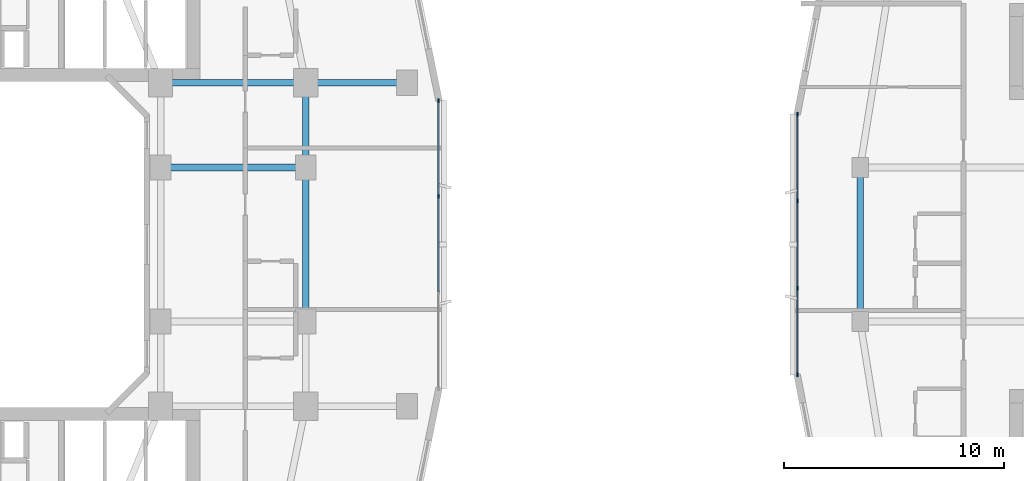
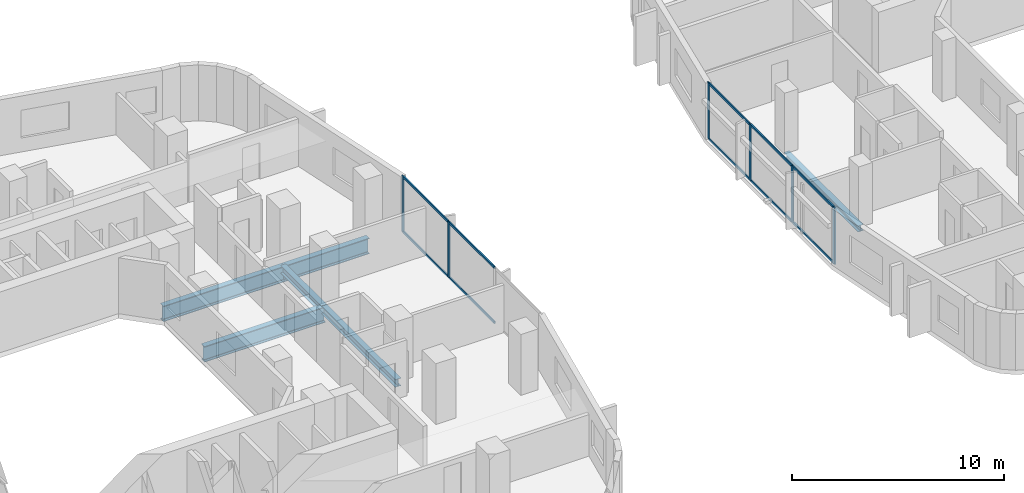
# One storey, part 4 of 22: 16 members, 6 beams, 2 elements without a shape of their own.
"""IFC4 building model written with IfcOpenShell, lengths in metres."""

from ifc_helpers import new_model, si_unit, derived_unit, direction, frame, origin, origin_2d, place, context, subcontext, project, spatial, rectangle, i_section, extrude, material, layer, layer_set, material_profile, profile_set, type_object, element, aggregate, save


model = new_model("IFC4")

# Units and contexts
model_context = context("Model", 3, precision=1e-05, world=origin(), true_north=direction((0.0, 1.0)))
body_context = subcontext(model_context, "Body", "Model", "MODEL_VIEW")
ifc_project = project(units=[si_unit("LENGTHUNIT", "METRE"), si_unit("AREAUNIT", "SQUARE_METRE"), si_unit("VOLUMEUNIT", "CUBIC_METRE"), si_unit("PLANEANGLEUNIT", "RADIAN"), si_unit("MASSUNIT", "GRAM", prefix="KILO"), derived_unit("THERMALTRANSMITTANCEUNIT", [(si_unit("POWERUNIT", "WATT"), 1), (si_unit("LENGTHUNIT", "METRE"), -2), (si_unit("THERMODYNAMICTEMPERATUREUNIT", "KELVIN"), -1)])], contexts=[model_context])

# Site, building, storey
site_placement = place(None, origin())
site = spatial("IfcSite", under=ifc_project, at=site_placement, CompositionType="ELEMENT")
building_placement = place(site_placement, origin())
building = spatial("IfcBuilding", under=site, at=building_placement, Name="Kivonza Crest Hotel", CompositionType="ELEMENT")
storey_placement = place(building_placement, frame((0.0, 0.0, 27.5)))
storey = spatial("IfcBuildingStorey", under=building, at=storey_placement, Name="L06", CompositionType="ELEMENT", Elevation=27.5)

# Beams
ifc_material_1 = material(Name="Steel S355", Category="steel")
ifc_material_profile_1 = material_profile(ifc_material_1, i_section(OverallWidth=0.300048828125, OverallDepth=0.360107421875, WebThickness=0.012451171875, FlangeThickness=0.0224609375, FilletRadius=0.027099609375, at=origin_2d()), Name="HEB 360")
ifc_profile_set_1 = profile_set([ifc_material_profile_1], Name="Steel S355")
beam_type_1 = type_object("IfcBeamType", Name="BM-HEB360", PredefinedType="SPANDREL", material=ifc_profile_set_1)
beam_1_placement = place(storey_placement, frame((61.0, 28.5, -0.429931640625), z_axis=(0.0, -1.0, 0.0), x_axis=(1.0, 0.0, 0.0)))
element("IfcBeam", 1, at=beam_1_placement, inside=storey, type_object=beam_type_1, Name="Companion Tower T2 L06 perimeter spandrel W2-W1", PredefinedType="SPANDREL", context=body_context, shape_type="SweptSolid", body=[
    extrude(i_section(OverallWidth=0.300048828125, OverallDepth=0.360107421875, WebThickness=0.012451171875, FlangeThickness=0.0224609375, FilletRadius=0.027099609375, at=origin_2d()), origin(), (0.0, 0.0, 1.0), 7.0),
])
ifc_material_profile_2 = material_profile(ifc_material_1, i_section(OverallWidth=0.300048828125, OverallDepth=0.449951171875, WebThickness=0.013916015625, FlangeThickness=0.02587890625, FilletRadius=0.027099609375, at=origin_2d()), Name="HEB 450")
ifc_profile_set_2 = profile_set([ifc_material_profile_2], Name="Steel S355")
beam_type_2 = type_object("IfcBeamType", Name="BM-HEB450", PredefinedType="SPANDREL", material=ifc_profile_set_2)
beam_2_placement = place(storey_placement, frame((35.800048828125, 21.5, -0.5048828125), z_axis=(0.0, 1.0, 0.0), x_axis=(-1.0, 0.0, 0.0)))
element("IfcBeam", 2, at=beam_2_placement, inside=storey, type_object=beam_type_2, Name="Tower T1 L06 perimeter spandrel E1-E2", PredefinedType="SPANDREL", context=body_context, shape_type="SweptSolid", body=[
    extrude(i_section(OverallWidth=0.300048828125, OverallDepth=0.449951171875, WebThickness=0.013916015625, FlangeThickness=0.02587890625, FilletRadius=0.027099609375, at=origin_2d()), origin(), (0.0, 0.0, 1.0), 7.0),
])
beam_3_placement = place(storey_placement, frame((35.800048828125, 28.5, -0.5048828125), z_axis=(0.0, 1.0, 0.0), x_axis=(-1.0, 0.0, 0.0)))
element("IfcBeam", 3, at=beam_3_placement, inside=storey, type_object=beam_type_2, Name="Tower T1 L06 perimeter spandrel E2-PNE", PredefinedType="SPANDREL", context=body_context, shape_type="SweptSolid", body=[
    extrude(i_section(OverallWidth=0.300048828125, OverallDepth=0.449951171875, WebThickness=0.013916015625, FlangeThickness=0.02587890625, FilletRadius=0.027099609375, at=origin_2d()), origin(), (0.0, 0.0, 1.0), 3.85009765625),
])
ifc_material_profile_3 = material_profile(ifc_material_1, i_section(OverallWidth=0.300048828125, OverallDepth=0.89990234375, WebThickness=0.0185546875, FlangeThickness=0.034912109375, FilletRadius=0.030029296875, at=origin_2d()), Name="HEB 900")
ifc_profile_set_3 = profile_set([ifc_material_profile_3], Name="Steel S355")
beam_type_3 = type_object("IfcBeamType", Name="BM-HEB900", PredefinedType="BEAM", material=ifc_profile_set_3)
for number, where, z_axis, x_axis, name in (
    (4, (29.199951171875, 32.35009765625, -0.72998046875), (1.0, 0.0, 0.0), (0.0, 1.0, 0.0), "Tower T1 L06 primary girder TNE-PNE"),
    (5, (29.199951171875, 28.5, -0.72998046875), (1.0, 0.0, 0.0), (0.0, 1.0, 0.0), "Tower T1 L06 primary girder WR2-E2"),
):
    element("IfcBeam", number, at=place(storey_placement, frame(where, z_axis=z_axis, x_axis=x_axis)), inside=storey, type_object=beam_type_3, Name=name, PredefinedType="BEAM", context=body_context, shape_type="SweptSolid", body=[
        extrude(i_section(OverallWidth=0.300048828125, OverallDepth=0.89990234375, WebThickness=0.0185546875, FlangeThickness=0.034912109375, FilletRadius=0.030029296875, at=origin_2d()), origin(), (0.0, 0.0, 1.0), 6.60009765625),
    ])
beam_4_placement = place(storey_placement, frame((40.39990234375, 32.35009765625, -0.72998046875), z_axis=(-1.0, 0.0, 0.0), x_axis=(0.0, -1.0, 0.0)))
element("IfcBeam", 6, at=beam_4_placement, inside=storey, type_object=beam_type_3, Name="Tower T1 L06 outer bay girder ZE2", PredefinedType="BEAM", context=body_context, shape_type="SweptSolid", body=[
    extrude(i_section(OverallWidth=0.300048828125, OverallDepth=0.89990234375, WebThickness=0.0185546875, FlangeThickness=0.034912109375, FilletRadius=0.030029296875, at=origin_2d()), origin(), (0.0, 0.0, 1.0), 4.599853515625),
])

# Curtain wall, members
ifc_material_2 = material(Name="Anodised bronze aluminium and low-E double glazing", Category="aluminium")
ifc_layer_1 = layer(ifc_material_2, 0.179931640625)
ifc_layer_set_1 = layer_set([ifc_layer_1], Name="Anodised bronze aluminium and low-E double glazing")
curtain_wall_type_1 = type_object("IfcCurtainWallType", Name="CW-SYS-2", PredefinedType="NOTDEFINED", material=ifc_layer_set_1)
curtain_wall_1_placement = place(storey_placement, origin())
curtain_wall_1 = element("IfcCurtainWall", 7, at=curtain_wall_1_placement, inside=storey, type_object=curtain_wall_type_1, Name="L06 unitised curtain wall CW-T1-L06-17", PredefinedType="NOTDEFINED")
ifc_material_3 = material(Name="Anodised bronze aluminium", Category="aluminium")
ifc_material_profile_4 = material_profile(ifc_material_3, rectangle(XDim=0.06494140625, YDim=0.179931640625, at=origin_2d()), Name="CW-M 65x180")
ifc_profile_set_4 = profile_set([ifc_material_profile_4], Name="Anodised bronze aluminium")
member_type_1 = type_object("IfcMemberType", Name="CW-MUL-65x180", PredefinedType="MULLION", material=ifc_profile_set_4)
member_1_placement = place(storey_placement, frame((41.840087890625, 27.186767578125, 0.0), z_axis=(0.0, 0.0, 1.0), x_axis=(-1.0, 0.0, 0.0)))
member_1 = element("IfcMember", 8, at=member_1_placement, type_object=member_type_1, Name="CW-2 mullion 3", PredefinedType="MULLION", context=body_context, shape_type="SweptSolid", body=[
    extrude(rectangle(XDim=0.06494140625, YDim=0.179931640625, at=origin_2d()), origin(), (0.0, 0.0, 1.0), 3.219970703125),
])
member_2_placement = place(storey_placement, frame((41.840087890625, 31.527587890625, 0.0), z_axis=(0.0, 0.0, 1.0), x_axis=(-1.0, 0.0, 0.0)))
member_2 = element("IfcMember", 9, at=member_2_placement, type_object=member_type_1, Name="CW-2 mullion 4", PredefinedType="MULLION", context=body_context, shape_type="SweptSolid", body=[
    extrude(rectangle(XDim=0.06494140625, YDim=0.179931640625, at=origin_2d()), origin(), (0.0, 0.0, 1.0), 3.219970703125),
])

ifc_layer_2 = layer(ifc_material_2, 0.179931640625)
ifc_layer_set_2 = layer_set([ifc_layer_2], Name="Anodised bronze aluminium and low-E double glazing")
curtain_wall_type_2 = type_object("IfcCurtainWallType", Name="CW-SYS-4", PredefinedType="NOTDEFINED", material=ifc_layer_set_2)
curtain_wall_2_placement = place(storey_placement, origin())
curtain_wall_2 = element("IfcCurtainWall", 10, at=curtain_wall_2_placement, inside=storey, type_object=curtain_wall_type_2, Name="L06 unitised curtain wall CW-T2-L06-35", PredefinedType="NOTDEFINED")
member_3_placement = place(storey_placement, frame((58.159912109375, 30.927490234375, 0.0), z_axis=(0.0, 0.0, 1.0), x_axis=(1.0, 0.0, 0.0)))
member_3 = element("IfcMember", 11, at=member_3_placement, type_object=member_type_1, Name="CW-4 mullion 1", PredefinedType="MULLION", context=body_context, shape_type="SweptSolid", body=[
    extrude(rectangle(XDim=0.06494140625, YDim=0.179931640625, at=origin_2d()), origin(), (0.0, 0.0, 1.0), 3.25),
])
member_4_placement = place(storey_placement, frame((58.159912109375, 26.986572265625, 0.0), z_axis=(0.0, 0.0, 1.0), x_axis=(1.0, 0.0, 0.0)))
member_4 = element("IfcMember", 12, at=member_4_placement, type_object=member_type_1, Name="CW-4 mullion 2", PredefinedType="MULLION", context=body_context, shape_type="SweptSolid", body=[
    extrude(rectangle(XDim=0.06494140625, YDim=0.179931640625, at=origin_2d()), origin(), (0.0, 0.0, 1.0), 3.25),
])
member_5_placement = place(storey_placement, frame((58.159912109375, 23.013427734375, 0.0), z_axis=(0.0, 0.0, 1.0), x_axis=(1.0, 0.0, 0.0)))
member_5 = element("IfcMember", 13, at=member_5_placement, type_object=member_type_1, Name="CW-4 mullion 3", PredefinedType="MULLION", context=body_context, shape_type="SweptSolid", body=[
    extrude(rectangle(XDim=0.06494140625, YDim=0.179931640625, at=origin_2d()), origin(), (0.0, 0.0, 1.0), 3.25),
])
member_6_placement = place(storey_placement, frame((58.159912109375, 19.072509765625, 0.0), z_axis=(0.0, 0.0, 1.0), x_axis=(1.0, 0.0, 0.0)))
member_6 = element("IfcMember", 14, at=member_6_placement, type_object=member_type_1, Name="CW-4 mullion 4", PredefinedType="MULLION", context=body_context, shape_type="SweptSolid", body=[
    extrude(rectangle(XDim=0.06494140625, YDim=0.179931640625, at=origin_2d()), origin(), (0.0, 0.0, 1.0), 3.25),
])

# Member
ifc_material_profile_5 = material_profile(ifc_material_3, rectangle(XDim=0.06494140625, YDim=0.139892578125, at=origin_2d()), Name="CW-T 65x140")
ifc_profile_set_5 = profile_set([ifc_material_profile_5], Name="Anodised bronze aluminium")
member_type_2 = type_object("IfcMemberType", Name="CW-TRN-65x140", PredefinedType="USERDEFINED", material=ifc_profile_set_5)
member_7_placement = place(storey_placement, frame((41.840087890625, 22.845947265625, 0.032470703125), z_axis=(0.0, 1.0, 0.0), x_axis=(-1.0, 0.0, 0.0)))
member_7 = element("IfcMember", 15, at=member_7_placement, type_object=member_type_2, Name="CW-2 transom 2.1", ObjectType="TRANSOM", PredefinedType="USERDEFINED", context=body_context, shape_type="SweptSolid", body=[
    extrude(rectangle(XDim=0.06494140625, YDim=0.139892578125, at=origin_2d()), origin(), (0.0, 0.0, 1.0), 4.30810546875),
])

member_8_placement = place(storey_placement, frame((41.840087890625, 22.845947265625, 3.1875), z_axis=(0.0, 1.0, 0.0), x_axis=(-1.0, 0.0, 0.0)))
member_8 = element("IfcMember", 16, at=member_8_placement, type_object=member_type_2, Name="CW-2 transom 2.2", ObjectType="TRANSOM", PredefinedType="USERDEFINED", context=body_context, shape_type="SweptSolid", body=[
    extrude(rectangle(XDim=0.06494140625, YDim=0.139892578125, at=origin_2d()), origin(), (0.0, 0.0, 1.0), 4.30810546875),
])

member_9_placement = place(storey_placement, frame((41.840087890625, 27.21923828125, 0.032470703125), z_axis=(0.0, 1.0, 0.0), x_axis=(-1.0, 0.0, 0.0)))
member_9 = element("IfcMember", 17, at=member_9_placement, type_object=member_type_2, Name="CW-2 transom 3.1", ObjectType="TRANSOM", PredefinedType="USERDEFINED", context=body_context, shape_type="SweptSolid", body=[
    extrude(rectangle(XDim=0.06494140625, YDim=0.139892578125, at=origin_2d()), origin(), (0.0, 0.0, 1.0), 4.27587890625),
])

member_10_placement = place(storey_placement, frame((41.840087890625, 27.21923828125, 3.1875), z_axis=(0.0, 1.0, 0.0), x_axis=(-1.0, 0.0, 0.0)))
member_10 = element("IfcMember", 18, at=member_10_placement, type_object=member_type_2, Name="CW-2 transom 3.2", ObjectType="TRANSOM", PredefinedType="USERDEFINED", context=body_context, shape_type="SweptSolid", body=[
    extrude(rectangle(XDim=0.06494140625, YDim=0.139892578125, at=origin_2d()), origin(), (0.0, 0.0, 1.0), 4.27587890625),
])

aggregate(curtain_wall_1, [member_1, member_2, member_7, member_8, member_9, member_10])

member_11_placement = place(storey_placement, frame((58.159912109375, 30.89501953125, 0.032470703125), z_axis=(0.0, -1.0, 0.0), x_axis=(1.0, 0.0, 0.0)))
member_11 = element("IfcMember", 19, at=member_11_placement, type_object=member_type_2, Name="CW-4 transom 1.1", ObjectType="TRANSOM", PredefinedType="USERDEFINED", context=body_context, shape_type="SweptSolid", body=[
    extrude(rectangle(XDim=0.06494140625, YDim=0.139892578125, at=origin_2d()), origin(), (0.0, 0.0, 1.0), 3.875732421875),
])

member_12_placement = place(storey_placement, frame((58.159912109375, 30.89501953125, 3.217529296875), z_axis=(0.0, -1.0, 0.0), x_axis=(1.0, 0.0, 0.0)))
member_12 = element("IfcMember", 20, at=member_12_placement, type_object=member_type_2, Name="CW-4 transom 1.2", ObjectType="TRANSOM", PredefinedType="USERDEFINED", context=body_context, shape_type="SweptSolid", body=[
    extrude(rectangle(XDim=0.06494140625, YDim=0.139892578125, at=origin_2d()), origin(), (0.0, 0.0, 1.0), 3.875732421875),
])

member_13_placement = place(storey_placement, frame((58.159912109375, 26.9541015625, 0.032470703125), z_axis=(0.0, -1.0, 0.0), x_axis=(1.0, 0.0, 0.0)))
member_13 = element("IfcMember", 21, at=member_13_placement, type_object=member_type_2, Name="CW-4 transom 2.1", ObjectType="TRANSOM", PredefinedType="USERDEFINED", context=body_context, shape_type="SweptSolid", body=[
    extrude(rectangle(XDim=0.06494140625, YDim=0.139892578125, at=origin_2d()), origin(), (0.0, 0.0, 1.0), 3.908203125),
])

member_14_placement = place(storey_placement, frame((58.159912109375, 26.9541015625, 3.217529296875), z_axis=(0.0, -1.0, 0.0), x_axis=(1.0, 0.0, 0.0)))
member_14 = element("IfcMember", 22, at=member_14_placement, type_object=member_type_2, Name="CW-4 transom 2.2", ObjectType="TRANSOM", PredefinedType="USERDEFINED", context=body_context, shape_type="SweptSolid", body=[
    extrude(rectangle(XDim=0.06494140625, YDim=0.139892578125, at=origin_2d()), origin(), (0.0, 0.0, 1.0), 3.908203125),
])

member_15_placement = place(storey_placement, frame((58.159912109375, 22.980712890625, 0.032470703125), z_axis=(0.0, -1.0, 0.0), x_axis=(1.0, 0.0, 0.0)))
member_15 = element("IfcMember", 23, at=member_15_placement, type_object=member_type_2, Name="CW-4 transom 3.1", ObjectType="TRANSOM", PredefinedType="USERDEFINED", context=body_context, shape_type="SweptSolid", body=[
    extrude(rectangle(XDim=0.06494140625, YDim=0.139892578125, at=origin_2d()), origin(), (0.0, 0.0, 1.0), 3.875732421875),
])

member_16_placement = place(storey_placement, frame((58.159912109375, 22.980712890625, 3.217529296875), z_axis=(0.0, -1.0, 0.0), x_axis=(1.0, 0.0, 0.0)))
member_16 = element("IfcMember", 24, at=member_16_placement, type_object=member_type_2, Name="CW-4 transom 3.2", ObjectType="TRANSOM", PredefinedType="USERDEFINED", context=body_context, shape_type="SweptSolid", body=[
    extrude(rectangle(XDim=0.06494140625, YDim=0.139892578125, at=origin_2d()), origin(), (0.0, 0.0, 1.0), 3.875732421875),
])

aggregate(curtain_wall_2, [member_3, member_4, member_5, member_6, member_11, member_12, member_13, member_14, member_15, member_16])

save(model, "model.ifc")
